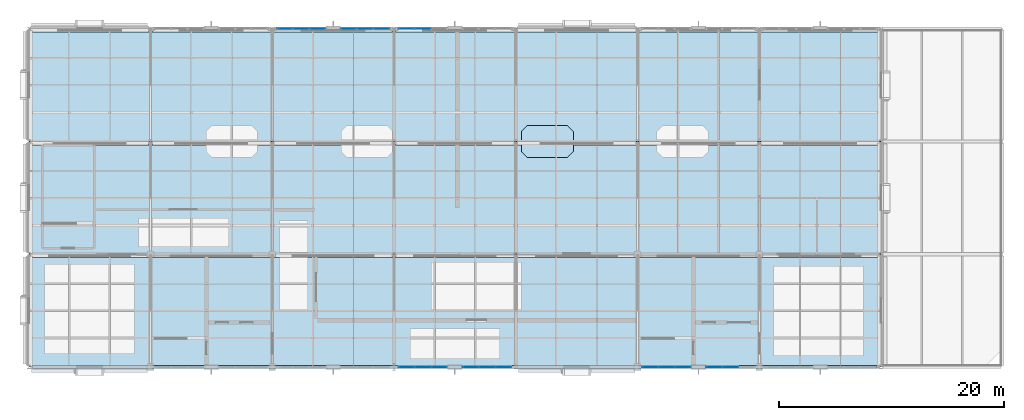
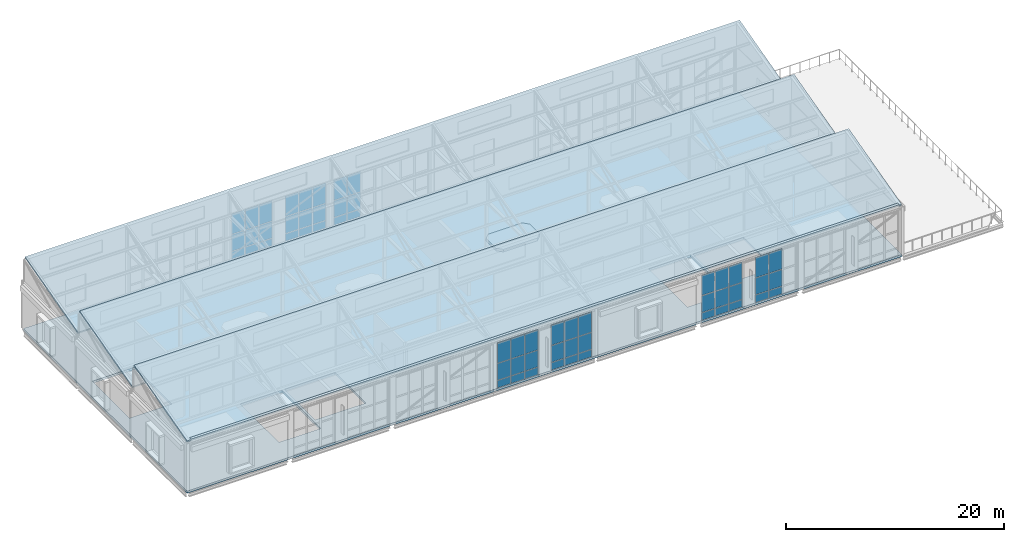
# One storey, part 32 of 49: 58 plates, 5 slabs, 8 elements without a shape of their own.
"""IFC4 building model written with IfcOpenShell, lengths in metres."""

from ifc_helpers import new_model, si_unit, direction, frame, origin, origin_2d, place, context, subcontext, project, spatial, polyline, rectangle, outline, extrude, material, layer, layer_set, type_object, element, aggregate, save


model = new_model("IFC4")

# Units and contexts
model_context = context("Model", 3, precision=1e-05, world=origin(), true_north=direction((0.0, 1.0)))
body_context = subcontext(model_context, "Body", "Model", "MODEL_VIEW")
ifc_project = project(units=[si_unit("LENGTHUNIT", "METRE"), si_unit("AREAUNIT", "SQUARE_METRE"), si_unit("VOLUMEUNIT", "CUBIC_METRE"), si_unit("PLANEANGLEUNIT", "RADIAN"), si_unit("MASSUNIT", "GRAM", prefix="KILO")], contexts=[model_context])

# Site, building, storey
site_placement = place(None, origin())
site = spatial("IfcSite", under=ifc_project, at=site_placement, CompositionType="ELEMENT")
building_placement = place(site_placement, origin())
building = spatial("IfcBuilding", under=site, at=building_placement, Name="Tasgan Crest Museum", CompositionType="ELEMENT")
storey_placement = place(building_placement, frame((0.0, 0.0, 28.800048828125)))
storey = spatial("IfcBuildingStorey", under=building, at=storey_placement, Name="L05", CompositionType="ELEMENT", Elevation=28.800048828125)

# Curtain wall, plates
ifc_material_1 = material(Name="Triple-Glazed Aluminium Curtain Wall", Category="aluminium")
ifc_layer_1 = layer(ifc_material_1, 0.179931640625, Name="CW-GAL-X-54")
ifc_layer_set_1 = layer_set([ifc_layer_1], Name="Triple-Glazed Aluminium Curtain Wall")
curtain_wall_type_1 = type_object("IfcCurtainWallType", Name="CW-GAL-X-54", PredefinedType="NOTDEFINED", material=ifc_layer_set_1)
curtain_wall_1_placement = place(storey_placement, origin())
curtain_wall_1 = element("IfcCurtainWall", 1, at=curtain_wall_1_placement, inside=storey, type_object=curtain_wall_type_1, Name="Curtain wall L05 206", PredefinedType="NOTDEFINED")
ifc_material_2 = material(Name="Insulated Spandrel Glass", Category="glass")
ifc_layer_2 = layer(ifc_material_2, 0.052001953125, Name="CW-PANEL-SPANDREL")
ifc_layer_set_2 = layer_set([ifc_layer_2], Name="Insulated Spandrel Glass")
plate_type_1 = type_object("IfcPlateType", Name="CW-PANEL-SPANDREL", PredefinedType="CURTAIN_PANEL", material=ifc_layer_set_2)
plate_1_placement = place(storey_placement, frame((34.9599609375, 112.0, 0.059814453125), z_axis=(0.0, 0.0, 1.0), x_axis=(-1.0, 0.0, 0.0)))
plate_1 = element("IfcPlate", 2, at=plate_1_placement, type_object=plate_type_1, Name="CW15 panel 2.1", PredefinedType="CURTAIN_PANEL", context=body_context, shape_type="SweptSolid", body=[
    extrude(rectangle(XDim=1.4033203125, YDim=0.028076171875, at=origin_2d()), origin(), (0.0, 0.0, 1.0), 0.81005859375),
])
plate_2_placement = place(storey_placement, frame((33.51171875, 112.0, 0.059814453125), z_axis=(0.0, 0.0, 1.0), x_axis=(-1.0, 0.0, 0.0)))
plate_2 = element("IfcPlate", 3, at=plate_2_placement, type_object=plate_type_1, Name="CW15 panel 3.1", PredefinedType="CURTAIN_PANEL", context=body_context, shape_type="SweptSolid", body=[
    extrude(rectangle(XDim=1.373291015625, YDim=0.028076171875, at=origin_2d()), origin(), (0.0, 0.0, 1.0), 0.81005859375),
])

curtain_wall_2_placement = place(storey_placement, origin())
curtain_wall_2 = element("IfcCurtainWall", 4, at=curtain_wall_2_placement, inside=storey, type_object=curtain_wall_type_1, Name="Curtain wall L05 207", PredefinedType="NOTDEFINED")
plate_3_placement = place(storey_placement, frame((31.288330078125, 112.0, 0.059814453125), z_axis=(0.0, 0.0, 1.0), x_axis=(-1.0, 0.0, 0.0)))
plate_3 = element("IfcPlate", 5, at=plate_3_placement, type_object=plate_type_1, Name="CW15 panel 1.1", PredefinedType="CURTAIN_PANEL", context=body_context, shape_type="SweptSolid", body=[
    extrude(rectangle(XDim=1.373291015625, YDim=0.028076171875, at=origin_2d()), origin(), (0.0, 0.0, 1.0), 0.81005859375),
])
plate_4_placement = place(storey_placement, frame((29.840087890625, 112.0, 0.059814453125), z_axis=(0.0, 0.0, 1.0), x_axis=(-1.0, 0.0, 0.0)))
plate_4 = element("IfcPlate", 6, at=plate_4_placement, type_object=plate_type_1, Name="CW15 panel 2.1", PredefinedType="CURTAIN_PANEL", context=body_context, shape_type="SweptSolid", body=[
    extrude(rectangle(XDim=1.4033203125, YDim=0.028076171875, at=origin_2d()), origin(), (0.0, 0.0, 1.0), 0.81005859375),
])
plate_5_placement = place(storey_placement, frame((28.3916015625, 112.0, 0.059814453125), z_axis=(0.0, 0.0, 1.0), x_axis=(-1.0, 0.0, 0.0)))
plate_5 = element("IfcPlate", 7, at=plate_5_placement, type_object=plate_type_1, Name="CW15 panel 3.1", PredefinedType="CURTAIN_PANEL", context=body_context, shape_type="SweptSolid", body=[
    extrude(rectangle(XDim=1.373291015625, YDim=0.028076171875, at=origin_2d()), origin(), (0.0, 0.0, 1.0), 0.81005859375),
])

curtain_wall_3_placement = place(storey_placement, origin())
curtain_wall_3 = element("IfcCurtainWall", 8, at=curtain_wall_3_placement, inside=storey, type_object=curtain_wall_type_1, Name="Curtain wall L05 208", PredefinedType="NOTDEFINED")
plate_6_placement = place(storey_placement, frame((25.6083984375, 112.0, 0.059814453125), z_axis=(0.0, 0.0, 1.0), x_axis=(-1.0, 0.0, 0.0)))
plate_6 = element("IfcPlate", 9, at=plate_6_placement, type_object=plate_type_1, Name="CW15 panel 1.1", PredefinedType="CURTAIN_PANEL", context=body_context, shape_type="SweptSolid", body=[
    extrude(rectangle(XDim=1.373291015625, YDim=0.028076171875, at=origin_2d()), origin(), (0.0, 0.0, 1.0), 0.81005859375),
])
plate_7_placement = place(storey_placement, frame((24.159912109375, 112.0, 0.059814453125), z_axis=(0.0, 0.0, 1.0), x_axis=(-1.0, 0.0, 0.0)))
plate_7 = element("IfcPlate", 10, at=plate_7_placement, type_object=plate_type_1, Name="CW15 panel 2.1", PredefinedType="CURTAIN_PANEL", context=body_context, shape_type="SweptSolid", body=[
    extrude(rectangle(XDim=1.4033203125, YDim=0.028076171875, at=origin_2d()), origin(), (0.0, 0.0, 1.0), 0.81005859375),
])
plate_8_placement = place(storey_placement, frame((22.711669921875, 112.0, 0.059814453125), z_axis=(0.0, 0.0, 1.0), x_axis=(-1.0, 0.0, 0.0)))
plate_8 = element("IfcPlate", 11, at=plate_8_placement, type_object=plate_type_1, Name="CW15 panel 3.1", PredefinedType="CURTAIN_PANEL", context=body_context, shape_type="SweptSolid", body=[
    extrude(rectangle(XDim=1.373291015625, YDim=0.028076171875, at=origin_2d()), origin(), (0.0, 0.0, 1.0), 0.81005859375),
])

curtain_wall_4_placement = place(storey_placement, origin())
curtain_wall_4 = element("IfcCurtainWall", 12, at=curtain_wall_4_placement, inside=storey, type_object=curtain_wall_type_1, Name="Curtain wall L05 215", PredefinedType="NOTDEFINED")
plate_9_placement = place(storey_placement, frame((33.51171875, 82.0, 0.059814453125), z_axis=(0.0, 0.0, 1.0), x_axis=(1.0, 0.0, 0.0)))
plate_9 = element("IfcPlate", 13, at=plate_9_placement, type_object=plate_type_1, Name="CW15 panel 1.1", PredefinedType="CURTAIN_PANEL", context=body_context, shape_type="SweptSolid", body=[
    extrude(rectangle(XDim=1.373291015625, YDim=0.028076171875, at=origin_2d()), origin(), (0.0, 0.0, 1.0), 0.81005859375),
])
plate_10_placement = place(storey_placement, frame((34.9599609375, 82.0, 0.059814453125), z_axis=(0.0, 0.0, 1.0), x_axis=(1.0, 0.0, 0.0)))
plate_10 = element("IfcPlate", 14, at=plate_10_placement, type_object=plate_type_1, Name="CW15 panel 2.1", PredefinedType="CURTAIN_PANEL", context=body_context, shape_type="SweptSolid", body=[
    extrude(rectangle(XDim=1.4033203125, YDim=0.028076171875, at=origin_2d()), origin(), (0.0, 0.0, 1.0), 0.81005859375),
])
plate_11_placement = place(storey_placement, frame((36.408447265625, 82.0, 0.059814453125), z_axis=(0.0, 0.0, 1.0), x_axis=(1.0, 0.0, 0.0)))
plate_11 = element("IfcPlate", 15, at=plate_11_placement, type_object=plate_type_1, Name="CW15 panel 3.1", PredefinedType="CURTAIN_PANEL", context=body_context, shape_type="SweptSolid", body=[
    extrude(rectangle(XDim=1.373291015625, YDim=0.028076171875, at=origin_2d()), origin(), (0.0, 0.0, 1.0), 0.81005859375),
])

curtain_wall_5_placement = place(storey_placement, origin())
curtain_wall_5 = element("IfcCurtainWall", 16, at=curtain_wall_5_placement, inside=storey, type_object=curtain_wall_type_1, Name="Curtain wall L05 216", PredefinedType="NOTDEFINED")
plate_12_placement = place(storey_placement, frame((39.191650390625, 82.0, 0.059814453125), z_axis=(0.0, 0.0, 1.0), x_axis=(1.0, 0.0, 0.0)))
plate_12 = element("IfcPlate", 17, at=plate_12_placement, type_object=plate_type_1, Name="CW15 panel 1.1", PredefinedType="CURTAIN_PANEL", context=body_context, shape_type="SweptSolid", body=[
    extrude(rectangle(XDim=1.373291015625, YDim=0.028076171875, at=origin_2d()), origin(), (0.0, 0.0, 1.0), 0.81005859375),
])
plate_13_placement = place(storey_placement, frame((40.639892578125, 82.0, 0.059814453125), z_axis=(0.0, 0.0, 1.0), x_axis=(1.0, 0.0, 0.0)))
plate_13 = element("IfcPlate", 18, at=plate_13_placement, type_object=plate_type_1, Name="CW15 panel 2.1", PredefinedType="CURTAIN_PANEL", context=body_context, shape_type="SweptSolid", body=[
    extrude(rectangle(XDim=1.4033203125, YDim=0.028076171875, at=origin_2d()), origin(), (0.0, 0.0, 1.0), 0.81005859375),
])
plate_14_placement = place(storey_placement, frame((42.08837890625, 82.0, 0.059814453125), z_axis=(0.0, 0.0, 1.0), x_axis=(1.0, 0.0, 0.0)))
plate_14 = element("IfcPlate", 19, at=plate_14_placement, type_object=plate_type_1, Name="CW15 panel 3.1", PredefinedType="CURTAIN_PANEL", context=body_context, shape_type="SweptSolid", body=[
    extrude(rectangle(XDim=1.373291015625, YDim=0.028076171875, at=origin_2d()), origin(), (0.0, 0.0, 1.0), 0.81005859375),
])

ifc_material_3 = material(Name="Triple-Glazed Aluminium Curtain Wall", Category="aluminium")
ifc_layer_3 = layer(ifc_material_3, 0.179931640625, Name="CW-DRUM-X-48")
ifc_layer_set_3 = layer_set([ifc_layer_3], Name="Triple-Glazed Aluminium Curtain Wall")
curtain_wall_type_2 = type_object("IfcCurtainWallType", Name="CW-DRUM-X-48", PredefinedType="NOTDEFINED", material=ifc_layer_set_3)
curtain_wall_6_placement = place(storey_placement, origin())
curtain_wall_6 = element("IfcCurtainWall", 20, at=curtain_wall_6_placement, inside=storey, type_object=curtain_wall_type_2, Name="Curtain wall L05 217", PredefinedType="NOTDEFINED")
plate_15_placement = place(storey_placement, frame((55.111572265625, 82.0, 0.059814453125), z_axis=(0.0, 0.0, 1.0), x_axis=(1.0, 0.0, 0.0)))
plate_15 = element("IfcPlate", 21, at=plate_15_placement, type_object=plate_type_1, Name="CW03 panel 1.1", PredefinedType="CURTAIN_PANEL", context=body_context, shape_type="SweptSolid", body=[
    extrude(rectangle(XDim=1.373291015625, YDim=0.028076171875, at=origin_2d()), origin(), (0.0, 0.0, 1.0), 0.81005859375),
])
plate_16_placement = place(storey_placement, frame((56.56005859375, 82.0, 0.059814453125), z_axis=(0.0, 0.0, 1.0), x_axis=(1.0, 0.0, 0.0)))
plate_16 = element("IfcPlate", 22, at=plate_16_placement, type_object=plate_type_1, Name="CW03 panel 2.1", PredefinedType="CURTAIN_PANEL", context=body_context, shape_type="SweptSolid", body=[
    extrude(rectangle(XDim=1.4033203125, YDim=0.028076171875, at=origin_2d()), origin(), (0.0, 0.0, 1.0), 0.81005859375),
])
plate_17_placement = place(storey_placement, frame((58.00830078125, 82.0, 0.059814453125), z_axis=(0.0, 0.0, 1.0), x_axis=(1.0, 0.0, 0.0)))
plate_17 = element("IfcPlate", 23, at=plate_17_placement, type_object=plate_type_1, Name="CW03 panel 3.1", PredefinedType="CURTAIN_PANEL", context=body_context, shape_type="SweptSolid", body=[
    extrude(rectangle(XDim=1.373291015625, YDim=0.028076171875, at=origin_2d()), origin(), (0.0, 0.0, 1.0), 0.81005859375),
])

curtain_wall_7_placement = place(storey_placement, origin())
curtain_wall_7 = element("IfcCurtainWall", 24, at=curtain_wall_7_placement, inside=storey, type_object=curtain_wall_type_2, Name="Curtain wall L05 218", PredefinedType="NOTDEFINED")
plate_18_placement = place(storey_placement, frame((60.791748046875, 82.0, 0.059814453125), z_axis=(0.0, 0.0, 1.0), x_axis=(1.0, 0.0, 0.0)))
plate_18 = element("IfcPlate", 25, at=plate_18_placement, type_object=plate_type_1, Name="CW03 panel 1.1", PredefinedType="CURTAIN_PANEL", context=body_context, shape_type="SweptSolid", body=[
    extrude(rectangle(XDim=1.373291015625, YDim=0.028076171875, at=origin_2d()), origin(), (0.0, 0.0, 1.0), 0.81005859375),
])
plate_19_placement = place(storey_placement, frame((62.239990234375, 82.0, 0.059814453125), z_axis=(0.0, 0.0, 1.0), x_axis=(1.0, 0.0, 0.0)))
plate_19 = element("IfcPlate", 26, at=plate_19_placement, type_object=plate_type_1, Name="CW03 panel 2.1", PredefinedType="CURTAIN_PANEL", context=body_context, shape_type="SweptSolid", body=[
    extrude(rectangle(XDim=1.4033203125, YDim=0.028076171875, at=origin_2d()), origin(), (0.0, 0.0, 1.0), 0.81005859375),
])

# Plate
ifc_material_4 = material(Name="Low-E Triple Glazing", Category="glass")
ifc_layer_4 = layer(ifc_material_4, 0.0439453125, Name="CW-PANEL-TRIPLE")
ifc_layer_set_4 = layer_set([ifc_layer_4], Name="Low-E Triple Glazing")
plate_type_2 = type_object("IfcPlateType", Name="CW-PANEL-TRIPLE", PredefinedType="CURTAIN_PANEL", material=ifc_layer_set_4)
plate_20_placement = place(storey_placement, frame((34.9599609375, 112.0, 0.9296875), z_axis=(0.0, 0.0, 1.0), x_axis=(-1.0, 0.0, 0.0)))
plate_20 = element("IfcPlate", 27, at=plate_20_placement, type_object=plate_type_2, Name="CW15 panel 2.2", PredefinedType="CURTAIN_PANEL", context=body_context, shape_type="SweptSolid", body=[
    extrude(rectangle(XDim=1.4033203125, YDim=0.028076171875, at=origin_2d()), origin(), (0.0, 0.0, 1.0), 1.840087890625),
])

plate_21_placement = place(storey_placement, frame((34.9599609375, 112.0, 2.829833984375), z_axis=(0.0, 0.0, 1.0), x_axis=(-1.0, 0.0, 0.0)))
plate_21 = element("IfcPlate", 28, at=plate_21_placement, type_object=plate_type_2, Name="CW15 panel 2.3", PredefinedType="CURTAIN_PANEL", context=body_context, shape_type="SweptSolid", body=[
    extrude(rectangle(XDim=1.4033203125, YDim=0.028076171875, at=origin_2d()), origin(), (0.0, 0.0, 1.0), 2.27001953125),
])

plate_22_placement = place(storey_placement, frame((33.51171875, 112.0, 0.9296875), z_axis=(0.0, 0.0, 1.0), x_axis=(-1.0, 0.0, 0.0)))
plate_22 = element("IfcPlate", 29, at=plate_22_placement, type_object=plate_type_2, Name="CW15 panel 3.2", PredefinedType="CURTAIN_PANEL", context=body_context, shape_type="SweptSolid", body=[
    extrude(rectangle(XDim=1.373291015625, YDim=0.028076171875, at=origin_2d()), origin(), (0.0, 0.0, 1.0), 1.840087890625),
])

plate_23_placement = place(storey_placement, frame((33.51171875, 112.0, 2.829833984375), z_axis=(0.0, 0.0, 1.0), x_axis=(-1.0, 0.0, 0.0)))
plate_23 = element("IfcPlate", 30, at=plate_23_placement, type_object=plate_type_2, Name="CW15 panel 3.3", PredefinedType="CURTAIN_PANEL", context=body_context, shape_type="SweptSolid", body=[
    extrude(rectangle(XDim=1.373291015625, YDim=0.028076171875, at=origin_2d()), origin(), (0.0, 0.0, 1.0), 2.27001953125),
])

aggregate(curtain_wall_1, [plate_1, plate_20, plate_21, plate_2, plate_22, plate_23])

plate_24_placement = place(storey_placement, frame((31.288330078125, 112.0, 0.9296875), z_axis=(0.0, 0.0, 1.0), x_axis=(-1.0, 0.0, 0.0)))
plate_24 = element("IfcPlate", 31, at=plate_24_placement, type_object=plate_type_2, Name="CW15 panel 1.2", PredefinedType="CURTAIN_PANEL", context=body_context, shape_type="SweptSolid", body=[
    extrude(rectangle(XDim=1.373291015625, YDim=0.028076171875, at=origin_2d()), origin(), (0.0, 0.0, 1.0), 1.840087890625),
])

plate_25_placement = place(storey_placement, frame((31.288330078125, 112.0, 2.829833984375), z_axis=(0.0, 0.0, 1.0), x_axis=(-1.0, 0.0, 0.0)))
plate_25 = element("IfcPlate", 32, at=plate_25_placement, type_object=plate_type_2, Name="CW15 panel 1.3", PredefinedType="CURTAIN_PANEL", context=body_context, shape_type="SweptSolid", body=[
    extrude(rectangle(XDim=1.373291015625, YDim=0.028076171875, at=origin_2d()), origin(), (0.0, 0.0, 1.0), 2.27001953125),
])

plate_26_placement = place(storey_placement, frame((29.840087890625, 112.0, 0.9296875), z_axis=(0.0, 0.0, 1.0), x_axis=(-1.0, 0.0, 0.0)))
plate_26 = element("IfcPlate", 33, at=plate_26_placement, type_object=plate_type_2, Name="CW15 panel 2.2", PredefinedType="CURTAIN_PANEL", context=body_context, shape_type="SweptSolid", body=[
    extrude(rectangle(XDim=1.4033203125, YDim=0.028076171875, at=origin_2d()), origin(), (0.0, 0.0, 1.0), 1.840087890625),
])

plate_27_placement = place(storey_placement, frame((29.840087890625, 112.0, 2.829833984375), z_axis=(0.0, 0.0, 1.0), x_axis=(-1.0, 0.0, 0.0)))
plate_27 = element("IfcPlate", 34, at=plate_27_placement, type_object=plate_type_2, Name="CW15 panel 2.3", PredefinedType="CURTAIN_PANEL", context=body_context, shape_type="SweptSolid", body=[
    extrude(rectangle(XDim=1.4033203125, YDim=0.028076171875, at=origin_2d()), origin(), (0.0, 0.0, 1.0), 2.27001953125),
])

plate_28_placement = place(storey_placement, frame((28.3916015625, 112.0, 0.9296875), z_axis=(0.0, 0.0, 1.0), x_axis=(-1.0, 0.0, 0.0)))
plate_28 = element("IfcPlate", 35, at=plate_28_placement, type_object=plate_type_2, Name="CW15 panel 3.2", PredefinedType="CURTAIN_PANEL", context=body_context, shape_type="SweptSolid", body=[
    extrude(rectangle(XDim=1.373291015625, YDim=0.028076171875, at=origin_2d()), origin(), (0.0, 0.0, 1.0), 1.840087890625),
])

plate_29_placement = place(storey_placement, frame((28.3916015625, 112.0, 2.829833984375), z_axis=(0.0, 0.0, 1.0), x_axis=(-1.0, 0.0, 0.0)))
plate_29 = element("IfcPlate", 36, at=plate_29_placement, type_object=plate_type_2, Name="CW15 panel 3.3", PredefinedType="CURTAIN_PANEL", context=body_context, shape_type="SweptSolid", body=[
    extrude(rectangle(XDim=1.373291015625, YDim=0.028076171875, at=origin_2d()), origin(), (0.0, 0.0, 1.0), 2.27001953125),
])

aggregate(curtain_wall_2, [plate_3, plate_24, plate_25, plate_4, plate_26, plate_27, plate_5, plate_28, plate_29])

plate_30_placement = place(storey_placement, frame((25.6083984375, 112.0, 0.9296875), z_axis=(0.0, 0.0, 1.0), x_axis=(-1.0, 0.0, 0.0)))
plate_30 = element("IfcPlate", 37, at=plate_30_placement, type_object=plate_type_2, Name="CW15 panel 1.2", PredefinedType="CURTAIN_PANEL", context=body_context, shape_type="SweptSolid", body=[
    extrude(rectangle(XDim=1.373291015625, YDim=0.028076171875, at=origin_2d()), origin(), (0.0, 0.0, 1.0), 1.840087890625),
])

plate_31_placement = place(storey_placement, frame((25.6083984375, 112.0, 2.829833984375), z_axis=(0.0, 0.0, 1.0), x_axis=(-1.0, 0.0, 0.0)))
plate_31 = element("IfcPlate", 38, at=plate_31_placement, type_object=plate_type_2, Name="CW15 panel 1.3", PredefinedType="CURTAIN_PANEL", context=body_context, shape_type="SweptSolid", body=[
    extrude(rectangle(XDim=1.373291015625, YDim=0.028076171875, at=origin_2d()), origin(), (0.0, 0.0, 1.0), 2.27001953125),
])

plate_32_placement = place(storey_placement, frame((24.159912109375, 112.0, 0.9296875), z_axis=(0.0, 0.0, 1.0), x_axis=(-1.0, 0.0, 0.0)))
plate_32 = element("IfcPlate", 39, at=plate_32_placement, type_object=plate_type_2, Name="CW15 panel 2.2", PredefinedType="CURTAIN_PANEL", context=body_context, shape_type="SweptSolid", body=[
    extrude(rectangle(XDim=1.4033203125, YDim=0.028076171875, at=origin_2d()), origin(), (0.0, 0.0, 1.0), 1.840087890625),
])

plate_33_placement = place(storey_placement, frame((24.159912109375, 112.0, 2.829833984375), z_axis=(0.0, 0.0, 1.0), x_axis=(-1.0, 0.0, 0.0)))
plate_33 = element("IfcPlate", 40, at=plate_33_placement, type_object=plate_type_2, Name="CW15 panel 2.3", PredefinedType="CURTAIN_PANEL", context=body_context, shape_type="SweptSolid", body=[
    extrude(rectangle(XDim=1.4033203125, YDim=0.028076171875, at=origin_2d()), origin(), (0.0, 0.0, 1.0), 2.27001953125),
])

plate_34_placement = place(storey_placement, frame((22.711669921875, 112.0, 0.9296875), z_axis=(0.0, 0.0, 1.0), x_axis=(-1.0, 0.0, 0.0)))
plate_34 = element("IfcPlate", 41, at=plate_34_placement, type_object=plate_type_2, Name="CW15 panel 3.2", PredefinedType="CURTAIN_PANEL", context=body_context, shape_type="SweptSolid", body=[
    extrude(rectangle(XDim=1.373291015625, YDim=0.028076171875, at=origin_2d()), origin(), (0.0, 0.0, 1.0), 1.840087890625),
])

plate_35_placement = place(storey_placement, frame((22.711669921875, 112.0, 2.829833984375), z_axis=(0.0, 0.0, 1.0), x_axis=(-1.0, 0.0, 0.0)))
plate_35 = element("IfcPlate", 42, at=plate_35_placement, type_object=plate_type_2, Name="CW15 panel 3.3", PredefinedType="CURTAIN_PANEL", context=body_context, shape_type="SweptSolid", body=[
    extrude(rectangle(XDim=1.373291015625, YDim=0.028076171875, at=origin_2d()), origin(), (0.0, 0.0, 1.0), 2.27001953125),
])

aggregate(curtain_wall_3, [plate_6, plate_30, plate_31, plate_7, plate_32, plate_33, plate_8, plate_34, plate_35])

plate_36_placement = place(storey_placement, frame((33.51171875, 82.0, 0.9296875), z_axis=(0.0, 0.0, 1.0), x_axis=(1.0, 0.0, 0.0)))
plate_36 = element("IfcPlate", 43, at=plate_36_placement, type_object=plate_type_2, Name="CW15 panel 1.2", PredefinedType="CURTAIN_PANEL", context=body_context, shape_type="SweptSolid", body=[
    extrude(rectangle(XDim=1.373291015625, YDim=0.028076171875, at=origin_2d()), origin(), (0.0, 0.0, 1.0), 1.840087890625),
])

plate_37_placement = place(storey_placement, frame((33.51171875, 82.0, 2.829833984375), z_axis=(0.0, 0.0, 1.0), x_axis=(1.0, 0.0, 0.0)))
plate_37 = element("IfcPlate", 44, at=plate_37_placement, type_object=plate_type_2, Name="CW15 panel 1.3", PredefinedType="CURTAIN_PANEL", context=body_context, shape_type="SweptSolid", body=[
    extrude(rectangle(XDim=1.373291015625, YDim=0.028076171875, at=origin_2d()), origin(), (0.0, 0.0, 1.0), 2.27001953125),
])

plate_38_placement = place(storey_placement, frame((34.9599609375, 82.0, 0.9296875), z_axis=(0.0, 0.0, 1.0), x_axis=(1.0, 0.0, 0.0)))
plate_38 = element("IfcPlate", 45, at=plate_38_placement, type_object=plate_type_2, Name="CW15 panel 2.2", PredefinedType="CURTAIN_PANEL", context=body_context, shape_type="SweptSolid", body=[
    extrude(rectangle(XDim=1.4033203125, YDim=0.028076171875, at=origin_2d()), origin(), (0.0, 0.0, 1.0), 1.840087890625),
])

plate_39_placement = place(storey_placement, frame((34.9599609375, 82.0, 2.829833984375), z_axis=(0.0, 0.0, 1.0), x_axis=(1.0, 0.0, 0.0)))
plate_39 = element("IfcPlate", 46, at=plate_39_placement, type_object=plate_type_2, Name="CW15 panel 2.3", PredefinedType="CURTAIN_PANEL", context=body_context, shape_type="SweptSolid", body=[
    extrude(rectangle(XDim=1.4033203125, YDim=0.028076171875, at=origin_2d()), origin(), (0.0, 0.0, 1.0), 2.27001953125),
])

plate_40_placement = place(storey_placement, frame((36.408447265625, 82.0, 0.9296875), z_axis=(0.0, 0.0, 1.0), x_axis=(1.0, 0.0, 0.0)))
plate_40 = element("IfcPlate", 47, at=plate_40_placement, type_object=plate_type_2, Name="CW15 panel 3.2", PredefinedType="CURTAIN_PANEL", context=body_context, shape_type="SweptSolid", body=[
    extrude(rectangle(XDim=1.373291015625, YDim=0.028076171875, at=origin_2d()), origin(), (0.0, 0.0, 1.0), 1.840087890625),
])

plate_41_placement = place(storey_placement, frame((36.408447265625, 82.0, 2.829833984375), z_axis=(0.0, 0.0, 1.0), x_axis=(1.0, 0.0, 0.0)))
plate_41 = element("IfcPlate", 48, at=plate_41_placement, type_object=plate_type_2, Name="CW15 panel 3.3", PredefinedType="CURTAIN_PANEL", context=body_context, shape_type="SweptSolid", body=[
    extrude(rectangle(XDim=1.373291015625, YDim=0.028076171875, at=origin_2d()), origin(), (0.0, 0.0, 1.0), 2.27001953125),
])

aggregate(curtain_wall_4, [plate_9, plate_36, plate_37, plate_10, plate_38, plate_39, plate_11, plate_40, plate_41])

plate_42_placement = place(storey_placement, frame((39.191650390625, 82.0, 0.9296875), z_axis=(0.0, 0.0, 1.0), x_axis=(1.0, 0.0, 0.0)))
plate_42 = element("IfcPlate", 49, at=plate_42_placement, type_object=plate_type_2, Name="CW15 panel 1.2", PredefinedType="CURTAIN_PANEL", context=body_context, shape_type="SweptSolid", body=[
    extrude(rectangle(XDim=1.373291015625, YDim=0.028076171875, at=origin_2d()), origin(), (0.0, 0.0, 1.0), 1.840087890625),
])

plate_43_placement = place(storey_placement, frame((39.191650390625, 82.0, 2.829833984375), z_axis=(0.0, 0.0, 1.0), x_axis=(1.0, 0.0, 0.0)))
plate_43 = element("IfcPlate", 50, at=plate_43_placement, type_object=plate_type_2, Name="CW15 panel 1.3", PredefinedType="CURTAIN_PANEL", context=body_context, shape_type="SweptSolid", body=[
    extrude(rectangle(XDim=1.373291015625, YDim=0.028076171875, at=origin_2d()), origin(), (0.0, 0.0, 1.0), 2.27001953125),
])

plate_44_placement = place(storey_placement, frame((40.639892578125, 82.0, 0.9296875), z_axis=(0.0, 0.0, 1.0), x_axis=(1.0, 0.0, 0.0)))
plate_44 = element("IfcPlate", 51, at=plate_44_placement, type_object=plate_type_2, Name="CW15 panel 2.2", PredefinedType="CURTAIN_PANEL", context=body_context, shape_type="SweptSolid", body=[
    extrude(rectangle(XDim=1.4033203125, YDim=0.028076171875, at=origin_2d()), origin(), (0.0, 0.0, 1.0), 1.840087890625),
])

plate_45_placement = place(storey_placement, frame((40.639892578125, 82.0, 2.829833984375), z_axis=(0.0, 0.0, 1.0), x_axis=(1.0, 0.0, 0.0)))
plate_45 = element("IfcPlate", 52, at=plate_45_placement, type_object=plate_type_2, Name="CW15 panel 2.3", PredefinedType="CURTAIN_PANEL", context=body_context, shape_type="SweptSolid", body=[
    extrude(rectangle(XDim=1.4033203125, YDim=0.028076171875, at=origin_2d()), origin(), (0.0, 0.0, 1.0), 2.27001953125),
])

plate_46_placement = place(storey_placement, frame((42.08837890625, 82.0, 0.9296875), z_axis=(0.0, 0.0, 1.0), x_axis=(1.0, 0.0, 0.0)))
plate_46 = element("IfcPlate", 53, at=plate_46_placement, type_object=plate_type_2, Name="CW15 panel 3.2", PredefinedType="CURTAIN_PANEL", context=body_context, shape_type="SweptSolid", body=[
    extrude(rectangle(XDim=1.373291015625, YDim=0.028076171875, at=origin_2d()), origin(), (0.0, 0.0, 1.0), 1.840087890625),
])

plate_47_placement = place(storey_placement, frame((42.08837890625, 82.0, 2.829833984375), z_axis=(0.0, 0.0, 1.0), x_axis=(1.0, 0.0, 0.0)))
plate_47 = element("IfcPlate", 54, at=plate_47_placement, type_object=plate_type_2, Name="CW15 panel 3.3", PredefinedType="CURTAIN_PANEL", context=body_context, shape_type="SweptSolid", body=[
    extrude(rectangle(XDim=1.373291015625, YDim=0.028076171875, at=origin_2d()), origin(), (0.0, 0.0, 1.0), 2.27001953125),
])

aggregate(curtain_wall_5, [plate_12, plate_42, plate_43, plate_13, plate_44, plate_45, plate_14, plate_46, plate_47])

plate_48_placement = place(storey_placement, frame((55.111572265625, 82.0, 0.9296875), z_axis=(0.0, 0.0, 1.0), x_axis=(1.0, 0.0, 0.0)))
plate_48 = element("IfcPlate", 55, at=plate_48_placement, type_object=plate_type_2, Name="CW03 panel 1.2", PredefinedType="CURTAIN_PANEL", context=body_context, shape_type="SweptSolid", body=[
    extrude(rectangle(XDim=1.373291015625, YDim=0.028076171875, at=origin_2d()), origin(), (0.0, 0.0, 1.0), 1.840087890625),
])

plate_49_placement = place(storey_placement, frame((55.111572265625, 82.0, 2.829833984375), z_axis=(0.0, 0.0, 1.0), x_axis=(1.0, 0.0, 0.0)))
plate_49 = element("IfcPlate", 56, at=plate_49_placement, type_object=plate_type_2, Name="CW03 panel 1.3", PredefinedType="CURTAIN_PANEL", context=body_context, shape_type="SweptSolid", body=[
    extrude(rectangle(XDim=1.373291015625, YDim=0.028076171875, at=origin_2d()), origin(), (0.0, 0.0, 1.0), 2.27001953125),
])

plate_50_placement = place(storey_placement, frame((56.56005859375, 82.0, 0.9296875), z_axis=(0.0, 0.0, 1.0), x_axis=(1.0, 0.0, 0.0)))
plate_50 = element("IfcPlate", 57, at=plate_50_placement, type_object=plate_type_2, Name="CW03 panel 2.2", PredefinedType="CURTAIN_PANEL", context=body_context, shape_type="SweptSolid", body=[
    extrude(rectangle(XDim=1.4033203125, YDim=0.028076171875, at=origin_2d()), origin(), (0.0, 0.0, 1.0), 1.840087890625),
])

plate_51_placement = place(storey_placement, frame((56.56005859375, 82.0, 2.829833984375), z_axis=(0.0, 0.0, 1.0), x_axis=(1.0, 0.0, 0.0)))
plate_51 = element("IfcPlate", 58, at=plate_51_placement, type_object=plate_type_2, Name="CW03 panel 2.3", PredefinedType="CURTAIN_PANEL", context=body_context, shape_type="SweptSolid", body=[
    extrude(rectangle(XDim=1.4033203125, YDim=0.028076171875, at=origin_2d()), origin(), (0.0, 0.0, 1.0), 2.27001953125),
])

plate_52_placement = place(storey_placement, frame((58.00830078125, 82.0, 0.9296875), z_axis=(0.0, 0.0, 1.0), x_axis=(1.0, 0.0, 0.0)))
plate_52 = element("IfcPlate", 59, at=plate_52_placement, type_object=plate_type_2, Name="CW03 panel 3.2", PredefinedType="CURTAIN_PANEL", context=body_context, shape_type="SweptSolid", body=[
    extrude(rectangle(XDim=1.373291015625, YDim=0.028076171875, at=origin_2d()), origin(), (0.0, 0.0, 1.0), 1.840087890625),
])

plate_53_placement = place(storey_placement, frame((58.00830078125, 82.0, 2.829833984375), z_axis=(0.0, 0.0, 1.0), x_axis=(1.0, 0.0, 0.0)))
plate_53 = element("IfcPlate", 60, at=plate_53_placement, type_object=plate_type_2, Name="CW03 panel 3.3", PredefinedType="CURTAIN_PANEL", context=body_context, shape_type="SweptSolid", body=[
    extrude(rectangle(XDim=1.373291015625, YDim=0.028076171875, at=origin_2d()), origin(), (0.0, 0.0, 1.0), 2.27001953125),
])

aggregate(curtain_wall_6, [plate_15, plate_48, plate_49, plate_16, plate_50, plate_51, plate_17, plate_52, plate_53])

plate_54_placement = place(storey_placement, frame((60.791748046875, 82.0, 0.9296875), z_axis=(0.0, 0.0, 1.0), x_axis=(1.0, 0.0, 0.0)))
plate_54 = element("IfcPlate", 61, at=plate_54_placement, type_object=plate_type_2, Name="CW03 panel 1.2", PredefinedType="CURTAIN_PANEL", context=body_context, shape_type="SweptSolid", body=[
    extrude(rectangle(XDim=1.373291015625, YDim=0.028076171875, at=origin_2d()), origin(), (0.0, 0.0, 1.0), 1.840087890625),
])

plate_55_placement = place(storey_placement, frame((60.791748046875, 82.0, 2.829833984375), z_axis=(0.0, 0.0, 1.0), x_axis=(1.0, 0.0, 0.0)))
plate_55 = element("IfcPlate", 62, at=plate_55_placement, type_object=plate_type_2, Name="CW03 panel 1.3", PredefinedType="CURTAIN_PANEL", context=body_context, shape_type="SweptSolid", body=[
    extrude(rectangle(XDim=1.373291015625, YDim=0.028076171875, at=origin_2d()), origin(), (0.0, 0.0, 1.0), 2.27001953125),
])

plate_56_placement = place(storey_placement, frame((62.239990234375, 82.0, 0.9296875), z_axis=(0.0, 0.0, 1.0), x_axis=(1.0, 0.0, 0.0)))
plate_56 = element("IfcPlate", 63, at=plate_56_placement, type_object=plate_type_2, Name="CW03 panel 2.2", PredefinedType="CURTAIN_PANEL", context=body_context, shape_type="SweptSolid", body=[
    extrude(rectangle(XDim=1.4033203125, YDim=0.028076171875, at=origin_2d()), origin(), (0.0, 0.0, 1.0), 1.840087890625),
])

plate_57_placement = place(storey_placement, frame((62.239990234375, 82.0, 2.829833984375), z_axis=(0.0, 0.0, 1.0), x_axis=(1.0, 0.0, 0.0)))
plate_57 = element("IfcPlate", 64, at=plate_57_placement, type_object=plate_type_2, Name="CW03 panel 2.3", PredefinedType="CURTAIN_PANEL", context=body_context, shape_type="SweptSolid", body=[
    extrude(rectangle(XDim=1.4033203125, YDim=0.028076171875, at=origin_2d()), origin(), (0.0, 0.0, 1.0), 2.27001953125),
])

aggregate(curtain_wall_7, [plate_18, plate_54, plate_55, plate_19, plate_56, plate_57])

ifc_material_5 = material(Name="Pre-weathered Zinc Sheet")
ifc_layer_5 = layer(ifc_material_5, 0.011962890625, Name="PL-FLASH-SHEET")
ifc_layer_set_5 = layer_set([ifc_layer_5], Name="Pre-weathered Zinc Sheet")
plate_type_3 = type_object("IfcPlateType", Name="PL-FLASH-SHEET", PredefinedType="SHEET", material=ifc_layer_set_5)
plate_58_placement = place(storey_placement, frame((37.800048828125, 82.0, 5.77001953125), z_axis=(0.0, 0.0, 1.0), x_axis=(1.0, 0.0, 0.0)))
element("IfcPlate", 65, at=plate_58_placement, inside=storey, type_object=plate_type_3, Name="Zinc parapet coping L05 SAW-S", PredefinedType="SHEET", context=body_context, shape_type="SweptSolid", body=[
    extrude(rectangle(XDim=74.89990234375, YDim=0.300048828125, at=origin_2d()), origin(), (0.0, 0.0, 1.0), 0.011962890625),
])

# Slabs
ifc_material_6 = material(Name="Concrete C35/45", Category="concrete")
ifc_layer_6 = layer(ifc_material_6, 0.2900390625, Name="SL-DAIS-T09")
ifc_layer_set_6 = layer_set([ifc_layer_6], Name="Concrete C35/45")
slab_type_1 = type_object("IfcSlabType", Name="SL-DAIS-T09", PredefinedType="FLOOR", material=ifc_layer_set_6)
slab_1_placement = place(storey_placement, origin())
element("IfcSlab", 66, at=slab_1_placement, inside=storey, type_object=slab_type_1, Name="Exhibition specimen dais L05-39", PredefinedType="FLOOR", context=body_context, shape_type="SweptSolid", body=[
    extrude(outline(polyline([(44.199951171875, 100.60009765625), (47.800048828125, 100.60009765625), (48.300048828125, 101.10009765625), (48.300048828125, 102.89990234375), (47.800048828125, 103.39990234375), (44.199951171875, 103.39990234375), (43.699951171875, 102.89990234375), (43.699951171875, 101.10009765625), (44.199951171875, 100.60009765625)])), origin(), (0.0, 0.0, 1.0), 0.2900390625),
])
ifc_material_7 = material(Name="Concrete C35/45", Category="concrete")
ifc_layer_7 = layer(ifc_material_7, 0.239990234375, Name="SL-FLR-240")
ifc_layer_set_7 = layer_set([ifc_layer_7], Name="Concrete C35/45")
slab_type_2 = type_object("IfcSlabType", Name="SL-FLR-240", PredefinedType="FLOOR", material=ifc_layer_set_7)
slab_2_placement = place(storey_placement, frame((0.0, 0.0, -0.239990234375)))
element("IfcSlab", 67, at=slab_2_placement, inside=storey, type_object=slab_type_2, Name="Floor slab L05 V5", PredefinedType="FLOOR", context=body_context, shape_type="SweptSolid", body=[
    extrude(outline(polyline([(0.0, 82.0), (75.60009765625, 82.0), (75.60009765625, 112.0), (0.0, 112.0), (0.0, 82.0)]), holes=[polyline([(11.179931640625, 84.550048828125), (15.60009765625, 84.550048828125), (15.60009765625, 91.6201171875), (11.179931640625, 91.6201171875), (11.179931640625, 84.550048828125)]), polyline([(15.85009765625, 86.0), (21.219970703125, 86.0), (21.219970703125, 91.6201171875), (15.85009765625, 91.6201171875), (15.85009765625, 86.0)]), polyline([(54.3798828125, 84.550048828125), (58.800048828125, 84.550048828125), (58.800048828125, 91.6201171875), (54.3798828125, 91.6201171875), (54.3798828125, 84.550048828125)]), polyline([(59.050048828125, 86.0), (64.419921875, 86.0), (64.419921875, 91.6201171875), (59.050048828125, 91.6201171875), (59.050048828125, 86.0)]), polyline([(1.25, 94.75), (5.75, 94.75), (5.75, 101.550048828125), (1.25, 101.550048828125), (1.25, 94.75)])]), origin(), (0.0, 0.0, 1.0), 0.239990234375),
])

# Roof, slabs
ifc_material_8 = material(Name="Steel S355K2", Category="steel")
roof_type = type_object("IfcRoofType", Name="RF-ASSY", PredefinedType="GABLE_ROOF", material=ifc_material_8)
roof_placement = place(storey_placement, origin())
roof = element("IfcRoof", 68, at=roof_placement, inside=storey, type_object=roof_type, Name="Roof truss sawtooth assembly", PredefinedType="GABLE_ROOF")
ifc_material_9 = material(Name="Concrete C35/45", Category="concrete")
ifc_layer_8 = layer(ifc_material_9, 0.179931640625, Name="SL-SAW-180")
ifc_layer_set_8 = layer_set([ifc_layer_8], Name="Concrete C35/45")
slab_type_3 = type_object("IfcSlabType", Name="SL-SAW-180", PredefinedType="ROOF", material=ifc_layer_set_8)
slab_3_placement = place(storey_placement, frame((0.0, 82.0, 5.619873046875), z_axis=(0.0, -0.258912283319, 0.965900838361), x_axis=(1.0, 0.0, 0.0)))
slab_3 = element("IfcSlab", 69, at=slab_3_placement, type_object=slab_type_3, Name="Sawtooth roof slab bay 1", PredefinedType="ROOF", context=body_context, shape_type="SweptSolid", body=[
    extrude(outline(polyline([(0.0, 0.0), (75.60009765625, 0.0), (75.60009765625, 10.042388190007193), (0.0, 10.042388190007193), (0.0, 0.0)])), origin(), (0.0, 0.0, -1.0), 0.179931640625),
])
slab_4_placement = place(storey_placement, frame((0.0, 92.0, 5.619873046875), z_axis=(0.0, -0.258912283319, 0.965900838361), x_axis=(1.0, 0.0, 0.0)))
slab_4 = element("IfcSlab", 70, at=slab_4_placement, type_object=slab_type_3, Name="Sawtooth roof slab bay 2", PredefinedType="ROOF", context=body_context, shape_type="SweptSolid", body=[
    extrude(outline(polyline([(0.0, 0.0), (75.60009765625, 0.0), (75.60009765625, 10.042388190007193), (0.0, 10.042388190007193), (0.0, 0.0)])), origin(), (0.0, 0.0, -1.0), 0.179931640625),
])
slab_5_placement = place(storey_placement, frame((0.0, 102.0, 5.619873046875), z_axis=(0.0, -0.258912283319, 0.965900838361), x_axis=(1.0, 0.0, 0.0)))
slab_5 = element("IfcSlab", 71, at=slab_5_placement, type_object=slab_type_3, Name="Sawtooth roof slab bay 3", PredefinedType="ROOF", context=body_context, shape_type="SweptSolid", body=[
    extrude(outline(polyline([(0.0, 0.0), (75.60009765625, 0.0), (75.60009765625, 10.042388190007193), (0.0, 10.042388190007193), (0.0, 0.0)])), origin(), (0.0, 0.0, -1.0), 0.179931640625),
])
aggregate(roof, [slab_3, slab_4, slab_5])

save(model, "model.ifc")
